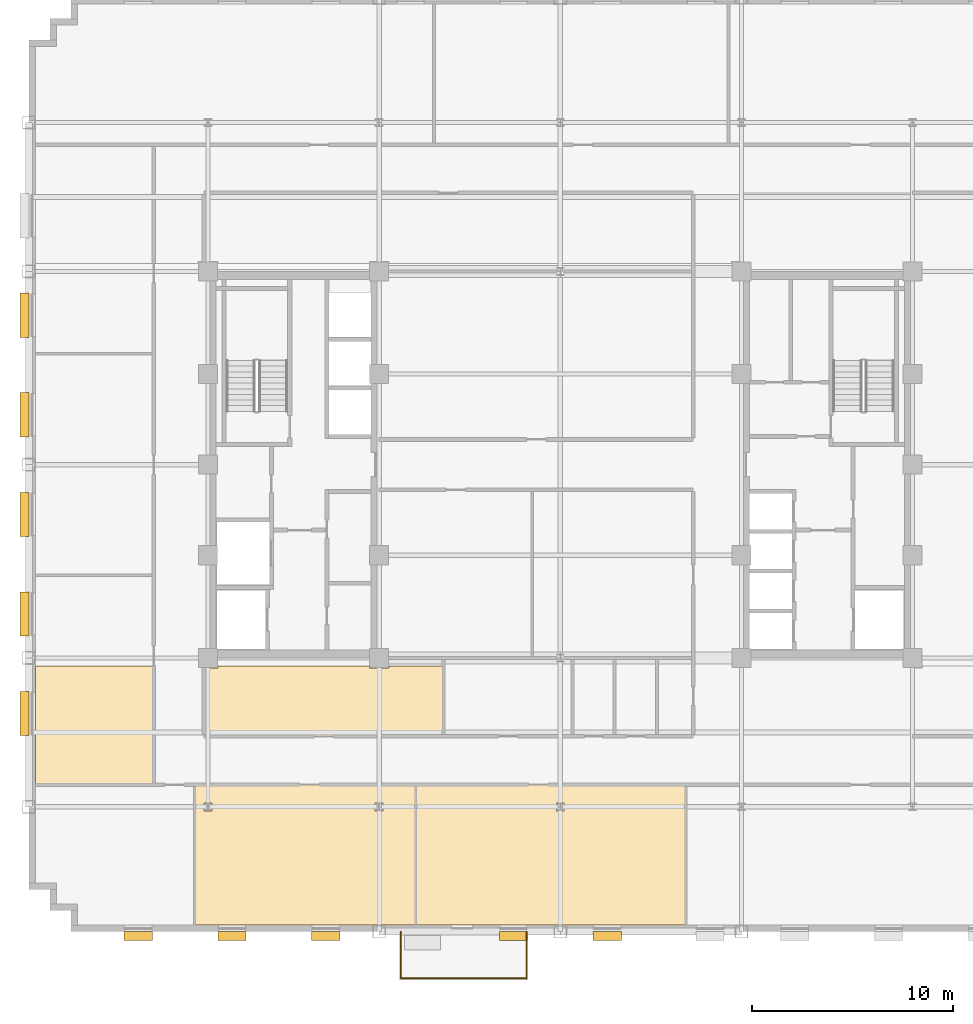
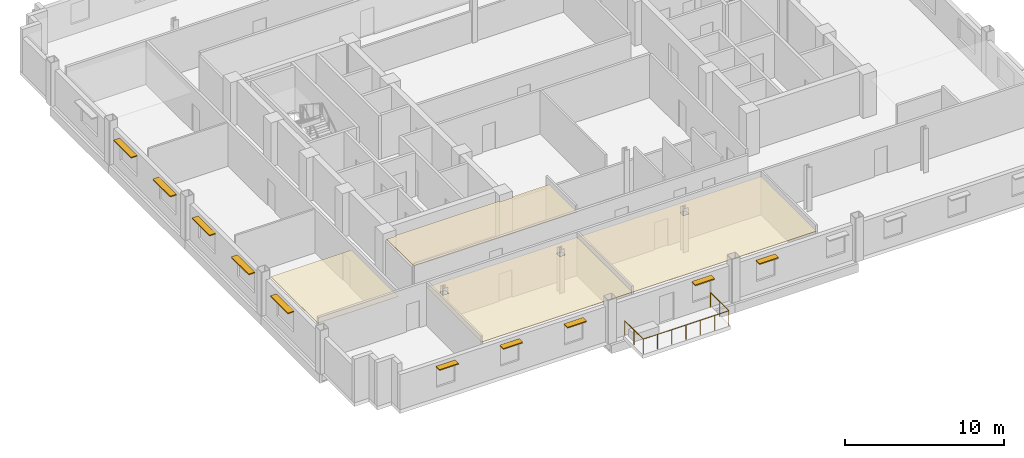
# One storey, part 10 of 13: 10 shading devices, 4 coverings, 1 railing.
"""IFC4 building model written with IfcOpenShell, lengths in metres."""

from ifc_helpers import new_model, si_unit, direction, frame, origin, origin_2d, place, context, subcontext, project, spatial, polyline, rectangle, circle, outline, extrude, source, transform, mapped, material, layer, layer_set, type_object, type_shapes, element, save


model = new_model("IFC4")

# Units and contexts
model_context = context("Model", 3, precision=1e-05, world=origin(), true_north=direction((0.0, 1.0)))
body_context = subcontext(model_context, "Body", "Model", "MODEL_VIEW")
ifc_project = project(units=[si_unit("LENGTHUNIT", "METRE"), si_unit("AREAUNIT", "SQUARE_METRE"), si_unit("VOLUMEUNIT", "CUBIC_METRE"), si_unit("PLANEANGLEUNIT", "RADIAN"), si_unit("MASSUNIT", "GRAM", prefix="KILO")], contexts=[model_context])

# Site, building, storey
site_placement = place(None, origin())
site = spatial("IfcSite", under=ifc_project, at=site_placement, CompositionType="ELEMENT")
building_placement = place(site_placement, origin())
building = spatial("IfcBuilding", under=site, at=building_placement, Name="Nuvemarco Arch Tower", CompositionType="ELEMENT")
storey_placement = place(building_placement, frame((0.0, 0.0, 153.050048828125)))
storey = spatial("IfcBuildingStorey", under=building, at=storey_placement, Name="L40", CompositionType="ELEMENT", Elevation=153.050048828125)

# Coverings
ifc_material_1 = material(Name="Mineral acoustic ceiling tile")
ifc_layer = layer(ifc_material_1, 0.0400390625, Name="COV-ACOUSTIC-CLG")
ifc_layer_set = layer_set([ifc_layer], Name="Mineral acoustic ceiling tile")
covering_type = type_object("IfcCoveringType", Name="COV-ACOUSTIC-CLG", PredefinedType="CEILING", material=ifc_layer_set)
covering_1_placement = place(storey_placement, frame((0.0, 0.0, 2.849853515625)))
element("IfcCovering", 1, at=covering_1_placement, inside=storey, type_object=covering_type, Name="L40 suspended acoustic ceiling 5", PredefinedType="CEILING", context=body_context, shape_type="SweptSolid", body=[
    extrude(outline(polyline([(0.340087890625, -22.8798828125), (0.340087890625, -22.860107421875), (-0.340087890625, -22.860107421875), (-0.340087890625, -22.8798828125), (-7.179931640625, -22.8798828125), (-7.179931640625, -15.89990234375), (6.22998046875, -15.89990234375), (6.22998046875, -22.8798828125), (0.340087890625, -22.8798828125)]), holes=[polyline([(0.195068359375, -17.195068359375), (0.195068359375, -16.804931640625), (-0.195068359375, -16.804931640625), (-0.195068359375, -17.195068359375), (0.195068359375, -17.195068359375)])]), origin(), (0.0, 0.0, 1.0), 0.0400390625),
])
covering_2_placement = place(storey_placement, frame((0.0, 0.0, 2.849853515625)))
element("IfcCovering", 2, at=covering_2_placement, inside=storey, type_object=covering_type, Name="L40 suspended acoustic ceiling 6", PredefinedType="CEILING", context=body_context, shape_type="SweptSolid", body=[
    extrude(outline(polyline([(-7.179931640625, -22.8798828125), (-8.659912109375, -22.8798828125), (-8.659912109375, -22.860107421875), (-9.340087890625, -22.860107421875), (-9.340087890625, -22.8798828125), (-18.14990234375, -22.8798828125), (-18.14990234375, -15.89990234375), (-17.699951171875, -15.89990234375), (-7.179931640625, -15.89990234375), (-7.179931640625, -22.8798828125)]), holes=[polyline([(-17.304931640625, -16.804931640625), (-17.695068359375, -16.804931640625), (-17.695068359375, -17.195068359375), (-17.304931640625, -17.195068359375), (-17.304931640625, -16.804931640625)]), polyline([(-8.804931640625, -17.195068359375), (-8.804931640625, -16.804931640625), (-9.195068359375, -16.804931640625), (-9.195068359375, -17.195068359375), (-8.804931640625, -17.195068359375)])]), origin(), (0.0, 0.0, 1.0), 0.0400390625),
])
covering_3_placement = place(storey_placement, frame((0.0, 0.0, 2.849853515625)))
element("IfcCovering", 3, at=covering_3_placement, inside=storey, type_object=covering_type, Name="L40 suspended acoustic ceiling 7", PredefinedType="CEILING", context=body_context, shape_type="SweptSolid", body=[
    extrude(outline(polyline([(-20.199951171875, -13.5), (-20.199951171875, -15.89990234375), (-26.080078125, -15.89990234375), (-26.080078125, -10.0), (-20.199951171875, -10.0), (-20.199951171875, -13.5)])), origin(), (0.0, 0.0, 1.0), 0.0400390625),
])
covering_4_placement = place(storey_placement, frame((0.0, 0.0, 2.849853515625)))
element("IfcCovering", 4, at=covering_4_placement, inside=storey, type_object=covering_type, Name="L40 suspended acoustic ceiling 9", PredefinedType="CEILING", context=body_context, shape_type="SweptSolid", body=[
    extrude(outline(polyline([(-9.489990234375, -10.090087890625), (-8.510009765625, -10.090087890625), (-8.510009765625, -10.0), (-5.800048828125, -10.0), (-5.800048828125, -13.5), (-17.699951171875, -13.5), (-17.699951171875, -10.090087890625), (-17.010009765625, -10.090087890625), (-17.010009765625, -10.0), (-9.489990234375, -10.0), (-9.489990234375, -10.090087890625)])), origin(), (0.0, 0.0, 1.0), 0.0400390625),
])

# Railing
ifc_material_2 = material(Name="Dark anodised balustrade steel S355", Category="steel")
railing_type = type_object("IfcRailingType", Name="RL-TERR-GUARD", PredefinedType="BALUSTRADE", material=ifc_material_2)
railing_placement = place(storey_placement, frame((-7.919921875, -23.199951171875, 0.0)))
element("IfcRailing", 5, at=railing_placement, inside=storey, type_object=railing_type, Name="L40 spiral terrace perimeter balustrade guard", PredefinedType="BALUSTRADE", context=body_context, shape_type="SweptSolid", body=[
    extrude(circle(Radius=0.02392578125, at=origin_2d()), frame((0.0, 0.0, 1.1259765625), z_axis=(0.0, -1.0, 0.0), x_axis=(1.0, 0.0, 0.0)), (0.0, 0.0, 1.0), 2.320068359375),
    extrude(circle(Radius=0.02392578125, at=origin_2d()), frame((0.0, -2.320068359375, 1.1259765625), z_axis=(1.0, 0.0, 0.0), x_axis=(0.0, 1.0, 0.0)), (0.0, 0.0, 1.0), 6.239990234375),
    extrude(circle(Radius=0.02392578125, at=origin_2d()), frame((6.239990234375, -2.320068359375, 1.1259765625), z_axis=(0.0, 1.0, 0.0), x_axis=(-1.0, 0.0, 0.0)), (0.0, 0.0, 1.0), 2.320068359375),
    extrude(circle(Radius=0.02099609375, at=origin_2d()), origin(), (0.0, 0.0, 1.0), 1.101806640625),
    extrude(circle(Radius=0.02099609375, at=origin_2d()), frame((0.0, -1.16015625, 0.0)), (0.0, 0.0, 1.0), 1.101806640625),
    extrude(circle(Radius=0.02099609375, at=origin_2d()), frame((0.0, -2.320068359375, 0.0)), (0.0, 0.0, 1.0), 1.101806640625),
    extrude(circle(Radius=0.02099609375, at=origin_2d()), frame((1.0400390625, -2.320068359375, 0.0)), (0.0, 0.0, 1.0), 1.101806640625),
    extrude(circle(Radius=0.02099609375, at=origin_2d()), frame((2.080078125, -2.320068359375, 0.0)), (0.0, 0.0, 1.0), 1.101806640625),
    extrude(circle(Radius=0.02099609375, at=origin_2d()), frame((3.1201171875, -2.320068359375, 0.0)), (0.0, 0.0, 1.0), 1.101806640625),
    extrude(circle(Radius=0.02099609375, at=origin_2d()), frame((4.159912109375, -2.320068359375, 0.0)), (0.0, 0.0, 1.0), 1.101806640625),
    extrude(circle(Radius=0.02099609375, at=origin_2d()), frame((5.199951171875, -2.320068359375, 0.0)), (0.0, 0.0, 1.0), 1.101806640625),
    extrude(circle(Radius=0.02099609375, at=origin_2d()), frame((6.239990234375, -2.320068359375, 0.0)), (0.0, 0.0, 1.0), 1.101806640625),
    extrude(circle(Radius=0.02099609375, at=origin_2d()), frame((6.239990234375, -1.16015625, 0.0)), (0.0, 0.0, 1.0), 1.101806640625),
    extrude(circle(Radius=0.02099609375, at=origin_2d()), frame((6.239990234375, 0.0, 0.0)), (0.0, 0.0, 1.0), 1.101806640625),
])

# Shading devices
ifc_material_3 = material(Name="Anodised aluminium 6063-T6", Category="aluminium")
shading_device_type_1 = type_object("IfcShadingDeviceType", Name="SHD-BRISE-SOLEIL", PredefinedType="USERDEFINED", material=ifc_material_3)
shared_shape_1 = source(origin(), body_context, "Body", "SweptSolid", [
    extrude(rectangle(XDim=2.199951171875, YDim=0.449951171875, at=origin_2d()), origin(), (0.0, 0.0, 1.0), 0.080078125),
])
type_shapes(shading_device_type_1, [shared_shape_1])
for number, where, z_axis, x_axis, name in (
    (6, (-26.614990234375, -12.364990234375, 2.364990234375), (0.0, 0.0, 1.0), (0.0, 1.0, 0.0), "L40 horizontal brise-soleil sunshade"),
    (7, (-26.614990234375, -7.4189453125, 2.364990234375), (0.0, 0.0, 1.0), (0.0, 1.0, 0.0), "L40 horizontal brise-soleil sunshade"),
    (8, (-26.614990234375, -2.472900390625, 2.364990234375), (0.0, 0.0, 1.0), (0.0, 1.0, 0.0), "L40 horizontal brise-soleil sunshade"),
    (9, (-26.614990234375, 2.472900390625, 2.364990234375), (0.0, 0.0, 1.0), (0.0, 1.0, 0.0), "L40 horizontal brise-soleil sunshade"),
    (10, (-26.614990234375, 7.4189453125, 2.364990234375), (0.0, 0.0, 1.0), (0.0, 1.0, 0.0), "L40 horizontal brise-soleil sunshade"),
):
    element("IfcShadingDevice", number, at=place(storey_placement, frame(where, z_axis=z_axis, x_axis=x_axis)), inside=storey, type_object=shading_device_type_1, Name=name, ObjectType="SUNSHADE", PredefinedType="USERDEFINED", context=body_context, shape_type="MappedRepresentation", body=[
        mapped(shared_shape_1, transform((0.0, 0.0, 0.0), scale=1.0)),
    ])
shading_device_type_2 = type_object("IfcShadingDeviceType", Name="SHD-BRISE-NARROW", PredefinedType="USERDEFINED", material=ifc_material_3)
shared_shape_2 = source(origin(), body_context, "Body", "SweptSolid", [
    extrude(rectangle(XDim=1.39990234375, YDim=0.449951171875, at=origin_2d()), origin(), (0.0, 0.0, 1.0), 0.080078125),
])
type_shapes(shading_device_type_2, [shared_shape_2])
for number, where, z_axis, x_axis, name in (
    (11, (-20.969970703125, -23.4150390625, 2.364990234375), (0.0, 0.0, 1.0), (1.0, 0.0, 0.0), "L40 horizontal brise-soleil sunshade"),
    (12, (-16.31005859375, -23.4150390625, 2.364990234375), (0.0, 0.0, 1.0), (1.0, 0.0, 0.0), "L40 horizontal brise-soleil sunshade"),
    (13, (-11.64990234375, -23.4150390625, 2.364990234375), (0.0, 0.0, 1.0), (1.0, 0.0, 0.0), "L40 horizontal brise-soleil sunshade"),
    (14, (-2.330078125, -23.4150390625, 2.364990234375), (0.0, 0.0, 1.0), (1.0, 0.0, 0.0), "L40 horizontal brise-soleil sunshade"),
    (15, (2.330078125, -23.4150390625, 2.364990234375), (0.0, 0.0, 1.0), (1.0, 0.0, 0.0), "L40 horizontal brise-soleil sunshade"),
):
    element("IfcShadingDevice", number, at=place(storey_placement, frame(where, z_axis=z_axis, x_axis=x_axis)), inside=storey, type_object=shading_device_type_2, Name=name, ObjectType="SUNSHADE", PredefinedType="USERDEFINED", context=body_context, shape_type="MappedRepresentation", body=[
        mapped(shared_shape_2, transform((0.0, 0.0, 0.0), scale=1.0)),
    ])

save(model, "model.ifc")
